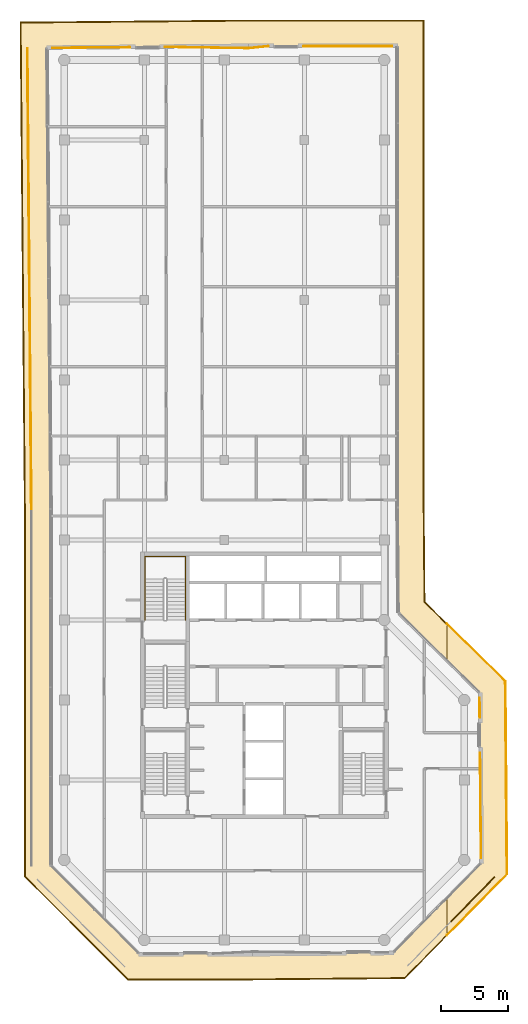
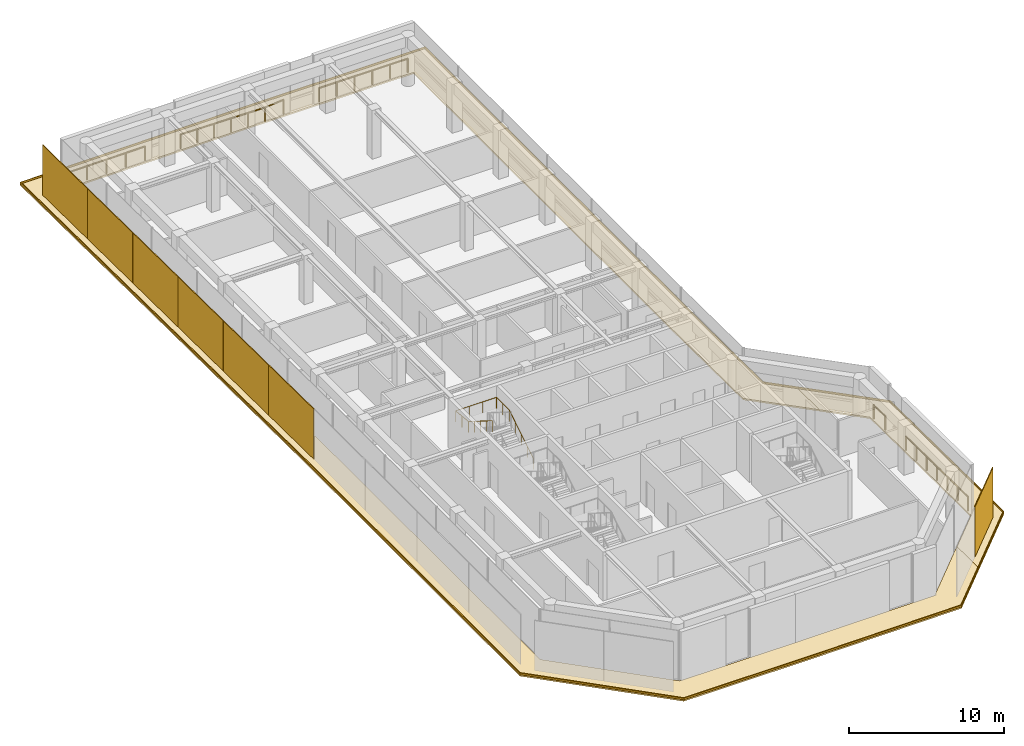
# One storey, part 18 of 18: 11 coverings, 6 railings.
"""IFC4 building model written with IfcOpenShell, lengths in metres."""

from ifc_helpers import new_model, si_unit, direction, frame, origin, origin_2d, place, context, subcontext, project, spatial, polyline, rectangle, circle, outline, extrude, material, layer, layer_set, type_object, element, save


model = new_model("IFC4")

# Units and contexts
model_context = context("Model", 3, precision=1e-05, world=origin(), true_north=direction((0.0, 1.0)))
body_context = subcontext(model_context, "Body", "Model", "MODEL_VIEW")
ifc_project = project(units=[si_unit("LENGTHUNIT", "METRE"), si_unit("AREAUNIT", "SQUARE_METRE"), si_unit("VOLUMEUNIT", "CUBIC_METRE"), si_unit("PLANEANGLEUNIT", "RADIAN"), si_unit("MASSUNIT", "GRAM", prefix="KILO")], contexts=[model_context])

# Site, building, storey
site_placement = place(None, origin())
site = spatial("IfcSite", under=ifc_project, at=site_placement, CompositionType="ELEMENT")
building_placement = place(site_placement, origin())
building = spatial("IfcBuilding", under=site, at=building_placement, Name="Welwitschia Terrace Campus", CompositionType="ELEMENT")
storey_placement = place(building_placement, frame((0.0, 0.0, 289.39990234375)))
storey = spatial("IfcBuildingStorey", under=building, at=storey_placement, Name="L64", CompositionType="ELEMENT", Elevation=289.39990234375)

# Coverings
ifc_material_1 = material(Name="Bronze mesh aluminium screen", Category="aluminium")
ifc_layer_1 = layer(ifc_material_1, 0.06005859375)
ifc_layer_set_1 = layer_set([ifc_layer_1], Name="Bronze mesh aluminium screen")
covering_type_1 = type_object("IfcCoveringType", Name="Bronze screen 60", PredefinedType="USERDEFINED", material=ifc_layer_set_1)
for number, where, z_axis, x_axis, name in (
    (1, (-2.736572265625, 60.00390625, 0.0), (0.0, 0.0, 1.0), (0.008726535498, -0.999961923064, 0.0), "Screen L64.0.0"),
    (2, (-2.686279296875, 54.241455078125, 0.0), (0.0, 0.0, 1.0), (0.008726535498, -0.999961923064, 0.0), "Screen L64.0.1"),
    (3, (-2.635986328125, 48.47900390625, 0.0), (0.0, 0.0, 1.0), (0.008726535498, -0.999961923064, 0.0), "Screen L64.0.2"),
    (4, (-2.585693359375, 42.716552734375, 0.0), (0.0, 0.0, 1.0), (0.008726535498, -0.999961923064, 0.0), "Screen L64.0.3"),
    (5, (-2.535400390625, 36.953857421875, 0.0), (0.0, 0.0, 1.0), (0.008726535498, -0.999961923064, 0.0), "Screen L64.0.4"),
    (6, (-2.485107421875, 31.19140625, 0.0), (0.0, 0.0, 1.0), (0.008726535498, -0.999961923064, 0.0), "Screen L64.0.5"),
):
    element("IfcCovering", number, at=place(storey_placement, frame(where, z_axis=z_axis, x_axis=x_axis)), inside=storey, type_object=covering_type_1, Name=name, ObjectType="SCREEN", PredefinedType="USERDEFINED", context=body_context, shape_type="SweptSolid", body=[
        extrude(rectangle(XDim=5.74267578125, YDim=0.06005859375, at=origin_2d()), origin(), (0.0, 0.0, 1.0), 3.949951171875),
    ])
covering_1_placement = place(storey_placement, frame((30.64697265625, -0.9443359375, 0.0), z_axis=(0.0, 0.0, 1.0), x_axis=(0.7009092643, 0.713250449154, 0.0)))
element("IfcCovering", 7, at=covering_1_placement, inside=storey, type_object=covering_type_1, Name="Screen L64.5.1", ObjectType="SCREEN", PredefinedType="USERDEFINED", context=body_context, shape_type="SweptSolid", body=[
    extrude(rectangle(XDim=4.6494140625, YDim=0.06005859375, at=origin_2d()), origin(), (0.0, 0.0, 1.0), 3.949951171875),
])

# Railings
ifc_material_2 = material(Name="Stainless steel grade 316", Category="steel")
railing_type_1 = type_object("IfcRailingType", Name="Guard 1100", PredefinedType="GUARDRAIL", material=ifc_material_2)
railing_1_placement = place(storey_placement, frame((-0.881591796875, 62.901611328125, 0.0)))
element("IfcRailing", 8, at=railing_1_placement, inside=storey, type_object=railing_type_1, Name="Guard floor edge L64.0", PredefinedType="GUARDRAIL", context=body_context, shape_type="SweptSolid", body=[
    extrude(circle(Radius=0.02392578125, at=origin_2d()), frame((0.0, 0.0, 1.076171875), z_axis=(0.999961713126, 0.008750558977, 0.0), x_axis=(-0.008750558977, 0.999961713126, 0.0)), (0.0, 0.0, 1.0), 5.80322265625),
    extrude(circle(Radius=0.02099609375, at=origin_2d()), origin(), (0.0, 0.0, 1.0), 1.052001953125),
    extrude(circle(Radius=0.02099609375, at=origin_2d()), frame((1.45068359375, 0.0126953125, 0.0)), (0.0, 0.0, 1.0), 1.052001953125),
    extrude(circle(Radius=0.02099609375, at=origin_2d()), frame((2.9013671875, 0.025390625, 0.0)), (0.0, 0.0, 1.0), 1.052001953125),
    extrude(circle(Radius=0.02099609375, at=origin_2d()), frame((4.352294921875, 0.0380859375, 0.0)), (0.0, 0.0, 1.0), 1.052001953125),
    extrude(circle(Radius=0.02099609375, at=origin_2d()), frame((5.802978515625, 0.05078125, 0.0)), (0.0, 0.0, 1.0), 1.052001953125),
])
railing_2_placement = place(storey_placement, frame((7.568603515625, 62.975341796875, 0.0)))
element("IfcRailing", 9, at=railing_2_placement, inside=storey, type_object=railing_type_1, Name="Guard floor edge L64.2", PredefinedType="GUARDRAIL", context=body_context, shape_type="SweptSolid", body=[
    extrude(circle(Radius=0.02392578125, at=origin_2d()), frame((0.0, 0.0, 1.076171875), z_axis=(0.999883527068, -0.015262119733, 0.0), x_axis=(0.015262119733, 0.999883527068, 0.0)), (0.0, 0.0, 1.0), 6.254638671875),
    extrude(circle(Radius=0.02392578125, at=origin_2d()), frame((6.25390625, -0.095458984375, 1.076171875), z_axis=(0.994878086331, 0.101082111861, 0.0), x_axis=(-0.101082111861, 0.994878086331, 0.0)), (0.0, 0.0, 1.0), 1.4853515625),
    extrude(circle(Radius=0.02099609375, at=origin_2d()), origin(), (0.0, 0.0, 1.0), 1.052001953125),
    extrude(circle(Radius=0.02099609375, at=origin_2d()), frame((1.250732421875, -0.01904296875, 0.0)), (0.0, 0.0, 1.0), 1.052001953125),
    extrude(circle(Radius=0.02099609375, at=origin_2d()), frame((2.50146484375, -0.0380859375, 0.0)), (0.0, 0.0, 1.0), 1.052001953125),
    extrude(circle(Radius=0.02099609375, at=origin_2d()), frame((3.75244140625, -0.057373046875, 0.0)), (0.0, 0.0, 1.0), 1.052001953125),
    extrude(circle(Radius=0.02099609375, at=origin_2d()), frame((5.003173828125, -0.076416015625, 0.0)), (0.0, 0.0, 1.0), 1.052001953125),
    extrude(circle(Radius=0.02099609375, at=origin_2d()), frame((6.25390625, -0.095458984375, 0.0)), (0.0, 0.0, 1.0), 1.052001953125),
    extrude(circle(Radius=0.02099609375, at=origin_2d()), frame((7.731689453125, 0.0546875, 0.0)), (0.0, 0.0, 1.0), 1.052001953125),
])
railing_3_placement = place(storey_placement, frame((17.947509765625, 63.030029296875, 0.0)))
element("IfcRailing", 10, at=railing_3_placement, inside=storey, type_object=railing_type_1, Name="Guard floor edge L64.4", PredefinedType="GUARDRAIL", context=body_context, shape_type="SweptSolid", body=[
    extrude(circle(Radius=0.02392578125, at=origin_2d()), frame((0.0, 0.0, 1.076171875), z_axis=(1.0, 0.0, 0.0), x_axis=(0.0, 1.0, 0.0)), (0.0, 0.0, 1.0), 6.632568359375),
    extrude(circle(Radius=0.02099609375, at=origin_2d()), origin(), (0.0, 0.0, 1.0), 1.052001953125),
    extrude(circle(Radius=0.02099609375, at=origin_2d()), frame((1.326416015625, 0.0, 0.0)), (0.0, 0.0, 1.0), 1.052001953125),
    extrude(circle(Radius=0.02099609375, at=origin_2d()), frame((2.653076171875, 0.0, 0.0)), (0.0, 0.0, 1.0), 1.052001953125),
    extrude(circle(Radius=0.02099609375, at=origin_2d()), frame((3.9794921875, 0.0, 0.0)), (0.0, 0.0, 1.0), 1.052001953125),
    extrude(circle(Radius=0.02099609375, at=origin_2d()), frame((5.30615234375, 0.0, 0.0)), (0.0, 0.0, 1.0), 1.052001953125),
    extrude(circle(Radius=0.02099609375, at=origin_2d()), frame((6.632568359375, 0.0, 0.0)), (0.0, 0.0, 1.0), 1.052001953125),
])
railing_4_placement = place(storey_placement, frame((31.15478515625, 14.15234375, 0.0)))
element("IfcRailing", 11, at=railing_4_placement, inside=storey, type_object=railing_type_1, Name="Guard floor edge L64.6", PredefinedType="GUARDRAIL", context=body_context, shape_type="SweptSolid", body=[
    extrude(circle(Radius=0.02392578125, at=origin_2d()), frame((0.0, 0.0, 1.076171875), z_axis=(0.008827104453, -0.999961040355, 0.0), x_axis=(0.999961040355, 0.008827104453, 0.0)), (0.0, 0.0, 1.0), 1.4658203125),
    extrude(circle(Radius=0.02099609375, at=origin_2d()), origin(), (0.0, 0.0, 1.0), 1.052001953125),
    extrude(circle(Radius=0.02099609375, at=origin_2d()), frame((0.012939453125, -1.4658203125, 0.0)), (0.0, 0.0, 1.0), 1.052001953125),
])
railing_5_placement = place(storey_placement, frame((31.19091796875, 10.039306640625, 0.0)))
element("IfcRailing", 12, at=railing_5_placement, inside=storey, type_object=railing_type_1, Name="Guard floor edge L64.7", PredefinedType="GUARDRAIL", context=body_context, shape_type="SweptSolid", body=[
    extrude(circle(Radius=0.02392578125, at=origin_2d()), frame((0.0, 0.0, 1.076171875), z_axis=(0.008723026292, -0.999961953682, 0.0), x_axis=(0.999961953682, 0.008723026292, 0.0)), (0.0, 0.0, 1.0), 7.892578125),
    extrude(circle(Radius=0.02099609375, at=origin_2d()), origin(), (0.0, 0.0, 1.0), 1.052001953125),
    extrude(circle(Radius=0.02099609375, at=origin_2d()), frame((0.011474609375, -1.3154296875, 0.0)), (0.0, 0.0, 1.0), 1.052001953125),
    extrude(circle(Radius=0.02099609375, at=origin_2d()), frame((0.02294921875, -2.630859375, 0.0)), (0.0, 0.0, 1.0), 1.052001953125),
    extrude(circle(Radius=0.02099609375, at=origin_2d()), frame((0.034423828125, -3.9462890625, 0.0)), (0.0, 0.0, 1.0), 1.052001953125),
    extrude(circle(Radius=0.02099609375, at=origin_2d()), frame((0.0458984375, -5.261474609375, 0.0)), (0.0, 0.0, 1.0), 1.052001953125),
    extrude(circle(Radius=0.02099609375, at=origin_2d()), frame((0.057373046875, -6.576904296875, 0.0)), (0.0, 0.0, 1.0), 1.052001953125),
    extrude(circle(Radius=0.02099609375, at=origin_2d()), frame((0.06884765625, -7.892333984375, 0.0)), (0.0, 0.0, 1.0), 1.052001953125),
])
ifc_material_3 = material(Name="Steel S355", Category="steel")
railing_type_2 = type_object("IfcRailingType", Name="Stair handrail 900", PredefinedType="HANDRAIL", material=ifc_material_3)
railing_6_placement = place(storey_placement, frame((9.10009765625, 20.0, 0.175048828125)))
element("IfcRailing", 13, at=railing_6_placement, inside=storey, type_object=railing_type_2, Name="L64 S4 stair handrail", PredefinedType="HANDRAIL", context=body_context, shape_type="SweptSolid", body=[
    extrude(circle(Radius=0.02392578125, at=origin_2d()), frame((0.0, 0.0, 0.8759765625), z_axis=(0.0, 0.847998304005, 0.529998940003), x_axis=(-1.0, 0.0, 0.0)), (0.0, 0.0, 1.0), 3.632080078125),
    extrude(circle(Radius=0.02392578125, at=origin_2d()), frame((0.0, 3.080078125, 2.80078125), z_axis=(0.0, 1.0, 0.0), x_axis=(-1.0, 0.0, 0.0)), (0.0, 0.0, 1.0), 1.669921875),
    extrude(circle(Radius=0.02392578125, at=origin_2d()), frame((0.0, 4.75, 2.80078125), z_axis=(-1.0, 0.0, 0.0), x_axis=(0.0, -1.0, 0.0)), (0.0, 0.0, 1.0), 3.050048828125),
    extrude(circle(Radius=0.02392578125, at=origin_2d()), frame((-3.050048828125, 4.75, 2.80078125), z_axis=(0.0, -0.99455077262, 0.104253348533), x_axis=(1.0, 0.0, 0.0)), (0.0, 0.0, 1.0), 1.678955078125),
    extrude(circle(Radius=0.02392578125, at=origin_2d()), frame((-3.050048828125, 3.080078125, 2.97607421875), z_axis=(0.0, -0.847998304005, 0.529998940003), x_axis=(1.0, 0.0, 0.0)), (0.0, 0.0, 1.0), 3.632080078125),
    extrude(circle(Radius=0.02099609375, at=origin_2d()), origin(), (0.0, 0.0, 1.0), 0.851806640625),
    extrude(circle(Radius=0.02099609375, at=origin_2d()), frame((0.0, 0.77001953125, 0.481201171875)), (0.0, 0.0, 1.0), 0.851806640625),
    extrude(circle(Radius=0.02099609375, at=origin_2d()), frame((0.0, 1.5400390625, 0.96240234375)), (0.0, 0.0, 1.0), 0.851806640625),
    extrude(circle(Radius=0.02099609375, at=origin_2d()), frame((0.0, 2.31005859375, 1.44384765625)), (0.0, 0.0, 1.0), 0.851806640625),
    extrude(circle(Radius=0.02099609375, at=origin_2d()), frame((0.0, 3.080078125, 1.925048828125)), (0.0, 0.0, 1.0), 0.851806640625),
    extrude(circle(Radius=0.02099609375, at=origin_2d()), frame((0.0, 3.9150390625, 1.925048828125)), (0.0, 0.0, 1.0), 0.851806640625),
    extrude(circle(Radius=0.02099609375, at=origin_2d()), frame((0.0, 4.75, 1.925048828125)), (0.0, 0.0, 1.0), 0.851806640625),
    extrude(circle(Radius=0.02099609375, at=origin_2d()), frame((-1.0166015625, 4.75, 1.925048828125)), (0.0, 0.0, 1.0), 0.851806640625),
    extrude(circle(Radius=0.02099609375, at=origin_2d()), frame((-2.033447265625, 4.75, 1.925048828125)), (0.0, 0.0, 1.0), 0.851806640625),
    extrude(circle(Radius=0.02099609375, at=origin_2d()), frame((-3.050048828125, 4.75, 1.925048828125)), (0.0, 0.0, 1.0), 0.851806640625),
    extrude(circle(Radius=0.02099609375, at=origin_2d()), frame((-3.050048828125, 3.9150390625, 2.0126953125)), (0.0, 0.0, 1.0), 0.851806640625),
    extrude(circle(Radius=0.02099609375, at=origin_2d()), frame((-3.050048828125, 3.080078125, 2.10009765625)), (0.0, 0.0, 1.0), 0.851806640625),
    extrude(circle(Radius=0.02099609375, at=origin_2d()), frame((-3.050048828125, 2.31005859375, 2.581298828125)), (0.0, 0.0, 1.0), 0.851806640625),
    extrude(circle(Radius=0.02099609375, at=origin_2d()), frame((-3.050048828125, 1.5400390625, 3.0625)), (0.0, 0.0, 1.0), 0.851806640625),
    extrude(circle(Radius=0.02099609375, at=origin_2d()), frame((-3.050048828125, 0.77001953125, 3.5439453125)), (0.0, 0.0, 1.0), 0.851806640625),
    extrude(circle(Radius=0.02099609375, at=origin_2d()), frame((-3.050048828125, 0.0, 4.025146484375)), (0.0, 0.0, 1.0), 0.851806640625),
])

# Coverings
ifc_material_4 = material(Name="Bronze anodised aluminium", Category="aluminium")
ifc_layer_2 = layer(ifc_material_4, 0.1201171875)
ifc_layer_set_2 = layer_set([ifc_layer_2], Name="Bronze anodised aluminium")
covering_type_2 = type_object("IfcCoveringType", Name="Sunshade band 2000", PredefinedType="USERDEFINED", material=ifc_layer_set_2)
covering_2_placement = place(storey_placement, frame((0.0, 0.0, -0.25)))
element("IfcCovering", 14, at=covering_2_placement, inside=storey, type_object=covering_type_2, Name="SUNSHADE L64.SW0", ObjectType="SUNSHADE", PredefinedType="USERDEFINED", context=body_context, shape_type="SweptSolid", body=[
    extrude(outline(polyline([(27.0, 65.0), (27.0, 28.44482421875), (27.06201171875, 21.356689453125), (28.698486328125, 19.748291015625), (28.698486328125, 16.944091796875), (25.069091796875, 20.5107421875), (25.0, 28.436279296875), (25.0, 63.0), (13.822021484375, 63.0), (-1.301513671875, 62.867919921875), (-1.0, 28.32275390625), (-1.0, 1.585693359375), (5.585693359375, -5.0), (14.11865234375, -5.0), (24.705078125, -4.90771484375), (28.698486328125, -0.843994140625), (28.698486328125, -3.697509765625), (25.551025390625, -6.900390625), (14.12744140625, -7.0), (4.75732421875, -7.0), (-3.0, 0.75732421875), (-3.0, 28.31396484375), (-3.31884765625, 64.8505859375), (13.813232421875, 65.0), (27.0, 65.0)])), origin(), (0.0, 0.0, 1.0), 0.1201171875),
])
covering_3_placement = place(storey_placement, frame((0.0, 0.0, -0.25)))
element("IfcCovering", 15, at=covering_3_placement, inside=storey, type_object=covering_type_2, Name="SUNSHADE L64.SE0", ObjectType="SUNSHADE", PredefinedType="USERDEFINED", context=body_context, shape_type="SweptSolid", body=[
    extrude(outline(polyline([(33.114013671875, 15.4091796875), (33.240478515625, 0.924560546875), (28.698486328125, -3.697509765625), (28.698486328125, -0.843994140625), (31.233154296875, 1.7353515625), (31.121337890625, 14.563232421875), (28.698486328125, 16.944091796875), (28.698486328125, 19.748291015625), (33.114013671875, 15.4091796875)])), origin(), (0.0, 0.0, 1.0), 0.1201171875),
])
ifc_material_5 = material(Name="Bronze anodised aluminium", Category="aluminium")
ifc_layer_3 = layer(ifc_material_5, 0.06005859375)
ifc_layer_set_3 = layer_set([ifc_layer_3], Name="Bronze anodised aluminium")
covering_type_3 = type_object("IfcCoveringType", Name="Sunshade lip 60", PredefinedType="USERDEFINED", material=ifc_layer_set_3)
covering_4_placement = place(storey_placement, frame((0.0, 0.0, -0.1298828125)))
element("IfcCovering", 16, at=covering_4_placement, inside=storey, type_object=covering_type_3, Name="SUNSHADE LIP L64.SW0.0", ObjectType="SUNSHADE", PredefinedType="USERDEFINED", context=body_context, shape_type="SweptSolid", body=[
    extrude(outline(polyline([(27.0, 28.44482421875), (27.06201171875, 21.356689453125), (28.698486328125, 19.748291015625), (28.698486328125, 19.6640625), (27.002197265625, 21.331298828125), (26.93994140625, 28.444580078125), (26.93994140625, 64.93994140625), (13.8134765625, 64.93994140625), (-3.25830078125, 64.791015625), (-2.93994140625, 28.314208984375), (-2.93994140625, 0.7822265625), (4.7822265625, -6.93994140625), (14.127197265625, -6.93994140625), (25.525634765625, -6.840576171875), (28.698486328125, -3.61181640625), (28.698486328125, -3.697509765625), (25.551025390625, -6.900390625), (14.12744140625, -7.0), (4.75732421875, -7.0), (-3.0, 0.75732421875), (-3.0, 28.31396484375), (-3.31884765625, 64.8505859375), (13.813232421875, 65.0), (27.0, 65.0), (27.0, 28.44482421875)])), origin(), (0.0, 0.0, 1.0), 0.1298828125),
])
covering_5_placement = place(storey_placement, frame((0.0, 0.0, -0.1298828125)))
element("IfcCovering", 17, at=covering_5_placement, inside=storey, type_object=covering_type_3, Name="SUNSHADE LIP L64.SE0.0", ObjectType="SUNSHADE", PredefinedType="USERDEFINED", context=body_context, shape_type="SweptSolid", body=[
    extrude(outline(polyline([(33.240478515625, 0.924560546875), (28.698486328125, -3.697509765625), (28.698486328125, -3.61181640625), (33.18017578125, 0.94873046875), (33.05419921875, 15.3837890625), (28.698486328125, 19.6640625), (28.698486328125, 19.748291015625), (33.114013671875, 15.4091796875), (33.240478515625, 0.924560546875)])), origin(), (0.0, 0.0, 1.0), 0.1298828125),
])

save(model, "model.ifc")
